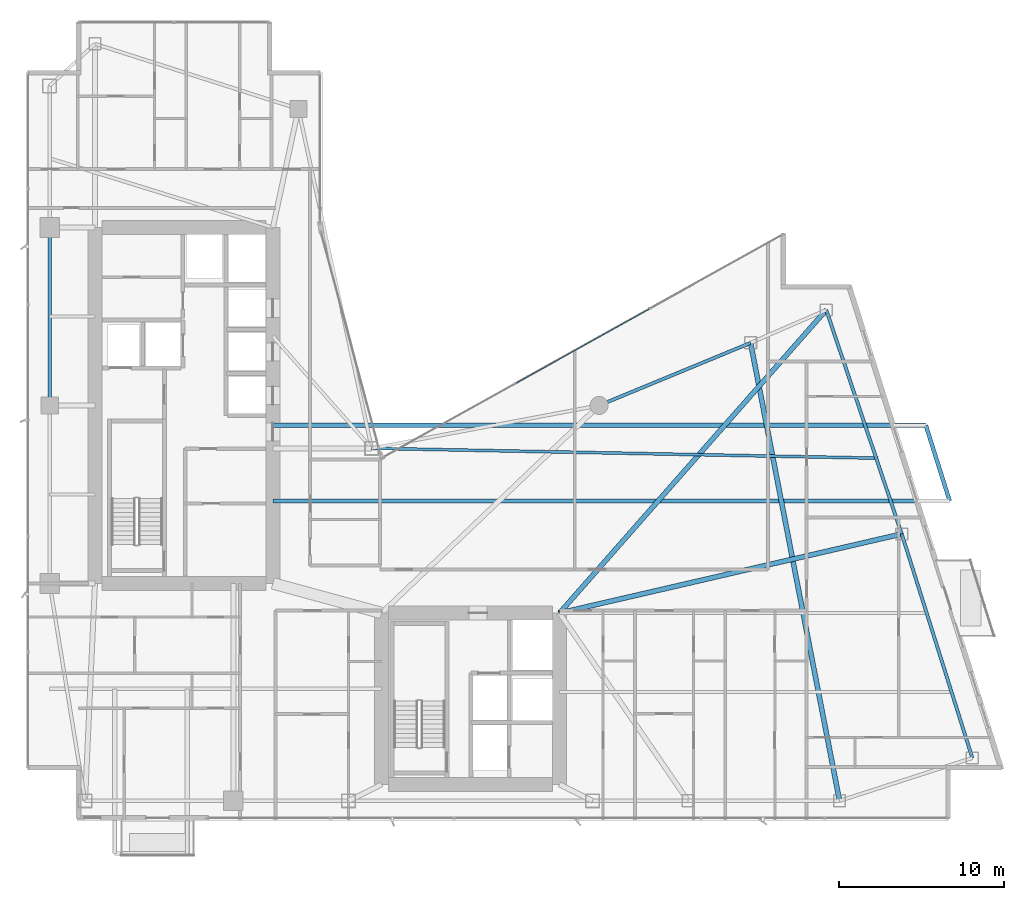
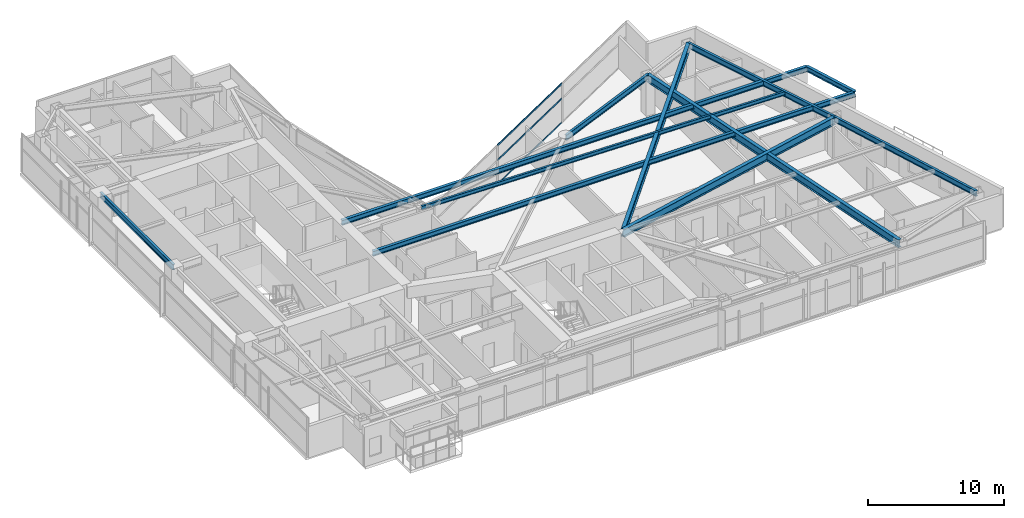
# One storey, part 15 of 28: 11 beams, 3 members, 1 element without a shape of its own.
"""IFC4 building model written with IfcOpenShell, lengths in metres."""

from ifc_helpers import new_model, si_unit, direction, frame, origin, origin_2d, place, context, subcontext, project, spatial, hollow_rectangle, i_section, extrude, material, layer, layer_set, material_profile, profile_set, type_object, element, aggregate, save


model = new_model("IFC4")

# Units and contexts
model_context = context("Model", 3, precision=1e-05, world=origin(), true_north=direction((0.0, 1.0)))
body_context = subcontext(model_context, "Body", "Model", "MODEL_VIEW")
ifc_project = project(units=[si_unit("LENGTHUNIT", "METRE"), si_unit("AREAUNIT", "SQUARE_METRE"), si_unit("VOLUMEUNIT", "CUBIC_METRE"), si_unit("PLANEANGLEUNIT", "RADIAN"), si_unit("MASSUNIT", "GRAM", prefix="KILO")], contexts=[model_context])

# Site, building, storey
site_placement = place(None, origin())
site = spatial("IfcSite", under=ifc_project, at=site_placement, CompositionType="ELEMENT")
building_placement = place(site_placement, origin())
building = spatial("IfcBuilding", under=site, at=building_placement, Name="Calvorn Quay Hotel", CompositionType="ELEMENT")
storey_placement = place(building_placement, frame((0.0, 0.0, 108.800048828125)))
storey = spatial("IfcBuildingStorey", under=building, at=storey_placement, Name="L26", CompositionType="ELEMENT", Elevation=108.800048828125)

# Beams
ifc_material_1 = material(Name="Steel Q355B", Category="steel")
ifc_material_profile_1 = material_profile(ifc_material_1, i_section(OverallWidth=0.25, OverallDepth=0.449951171875, WebThickness=0.011962890625, FlangeThickness=0.01611328125, FilletRadius=0.01611328125, at=origin_2d()), Name="HN450x250x12x16")
ifc_profile_set_1 = profile_set([ifc_material_profile_1], Name="Steel Q355B")
beam_type_1 = type_object("IfcBeamType", Name="BM-CANT-BALC", PredefinedType="BEAM", material=ifc_profile_set_1)
beam_1_placement = place(storey_placement, frame((15.0, 21.800048828125, 3.31494140625), z_axis=(1.0, 0.0, 0.0), x_axis=(0.0, 1.0, 0.0)))
element("IfcBeam", 1, at=beam_1_placement, inside=storey, type_object=beam_type_1, Name="Cantilever Balcony Beam BCB-L27-1A", PredefinedType="BEAM", context=body_context, shape_type="SweptSolid", body=[
    extrude(i_section(OverallWidth=0.25, OverallDepth=0.449951171875, WebThickness=0.011962890625, FlangeThickness=0.01611328125, FilletRadius=0.01611328125, at=origin_2d()), origin(), (0.0, 0.0, 1.0), 41.0859375),
])
beam_2_placement = place(storey_placement, frame((15.0, 26.39990234375, 3.31494140625), z_axis=(1.0, 0.0, 0.0), x_axis=(0.0, 1.0, 0.0)))
element("IfcBeam", 2, at=beam_2_placement, inside=storey, type_object=beam_type_1, Name="Cantilever Balcony Beam BCB-L27-1B", PredefinedType="BEAM", context=body_context, shape_type="SweptSolid", body=[
    extrude(i_section(OverallWidth=0.25, OverallDepth=0.449951171875, WebThickness=0.011962890625, FlangeThickness=0.01611328125, FilletRadius=0.01611328125, at=origin_2d()), origin(), (0.0, 0.0, 1.0), 39.636962890625),
])
beam_3_placement = place(storey_placement, frame((56.0859375, 21.800048828125, 3.31494140625), z_axis=(-0.300450487966, 0.953797412599, 0.0), x_axis=(-0.953797412599, -0.300450487966, 0.0)))
element("IfcBeam", 3, at=beam_3_placement, inside=storey, type_object=beam_type_1, Name="Beam BCBO-L27-1", PredefinedType="BEAM", context=body_context, shape_type="SweptSolid", body=[
    extrude(i_section(OverallWidth=0.25, OverallDepth=0.449951171875, WebThickness=0.011962890625, FlangeThickness=0.01611328125, FilletRadius=0.01611328125, at=origin_2d()), origin(), (0.0, 0.0, 1.0), 4.82275390625),
])
ifc_material_2 = material(Name="Steel Q390GJC", Category="steel")
ifc_material_profile_2 = material_profile(ifc_material_2, i_section(OverallWidth=0.300048828125, OverallDepth=0.699951171875, WebThickness=0.012939453125, FlangeThickness=0.02392578125, FilletRadius=0.02392578125, at=origin_2d()), Name="HN700x300x13x24")
ifc_profile_set_2 = profile_set([ifc_material_profile_2], Name="Steel Q390GJC")
beam_type_2 = type_object("IfcBeamType", Name="BM-GIRD-MAIN", PredefinedType="BEAM", material=ifc_profile_set_2)
beam_4_placement = place(storey_placement, frame((32.39990234375, 15.0, 3.18994140625), z_axis=(0.974334045812, 0.225107012711, 0.0), x_axis=(-0.225107012711, 0.974334045812, 0.0)))
element("IfcBeam", 4, at=beam_4_placement, inside=storey, type_object=beam_type_2, Name="Beam BG-L26-E2", PredefinedType="BEAM", context=body_context, shape_type="SweptSolid", body=[
    extrude(i_section(OverallWidth=0.300048828125, OverallDepth=0.699951171875, WebThickness=0.012939453125, FlangeThickness=0.02392578125, FilletRadius=0.02392578125, at=origin_2d()), origin(), (0.0, 0.0, 1.0), 21.323486328125),
])
beam_5_placement = place(storey_placement, frame((32.39990234375, 15.0, 3.18994140625), z_axis=(0.660610604248, 0.750728732336, 0.0), x_axis=(-0.750728732336, 0.660610604248, 0.0)))
element("IfcBeam", 5, at=beam_5_placement, inside=storey, type_object=beam_type_2, Name="Beam BG-L26-E3", PredefinedType="BEAM", context=body_context, shape_type="SweptSolid", body=[
    extrude(i_section(OverallWidth=0.300048828125, OverallDepth=0.699951171875, WebThickness=0.012939453125, FlangeThickness=0.02392578125, FilletRadius=0.02392578125, at=origin_2d()), origin(), (0.0, 0.0, 1.0), 24.50927734375),
])
beam_6_placement = place(storey_placement, frame((49.39990234375, 3.60009765625, 3.18994140625), z_axis=(-0.190678596862, 0.981652521363, 0.0), x_axis=(-0.981652521363, -0.190678596862, 0.0)))
element("IfcBeam", 6, at=beam_6_placement, inside=storey, type_object=beam_type_2, Name="Beam BG-L26-E5", PredefinedType="BEAM", context=body_context, shape_type="SweptSolid", body=[
    extrude(i_section(OverallWidth=0.300048828125, OverallDepth=0.699951171875, WebThickness=0.012939453125, FlangeThickness=0.02392578125, FilletRadius=0.02392578125, at=origin_2d()), origin(), (0.0, 0.0, 1.0), 28.3193359375),
])
ifc_material_3 = material(Name="Steel Q355B", Category="steel")
ifc_material_profile_3 = material_profile(ifc_material_3, i_section(OverallWidth=0.175048828125, OverallDepth=0.35009765625, WebThickness=0.007080078125, FlangeThickness=0.010986328125, FilletRadius=0.013916015625, at=origin_2d()), Name="HN350x175x7x11")
ifc_profile_set_3 = profile_set([ifc_material_profile_3], Name="Steel Q355B")
beam_type_3 = type_object("IfcBeamType", Name="BM-JOIST-SEC", PredefinedType="JOIST", material=ifc_profile_set_3)
beam_7_placement = place(storey_placement, frame((21.0, 25.0, 3.364990234375), z_axis=(0.999809345134, -0.019526222968, 0.0), x_axis=(0.019526222968, 0.999809345134, 0.0)))
element("IfcBeam", 7, at=beam_7_placement, inside=storey, type_object=beam_type_3, Name="Beam BJ-L26-E3", PredefinedType="JOIST", context=body_context, shape_type="SweptSolid", body=[
    extrude(i_section(OverallWidth=0.175048828125, OverallDepth=0.35009765625, WebThickness=0.007080078125, FlangeThickness=0.010986328125, FilletRadius=0.013916015625, at=origin_2d()), origin(), (0.0, 0.0, 1.0), 30.73291015625),
])
ifc_material_4 = material(Name="Steel Q355B", Category="steel")
ifc_material_profile_4 = material_profile(ifc_material_4, i_section(OverallWidth=0.199951171875, OverallDepth=0.5, WebThickness=0.010009765625, FlangeThickness=0.01611328125, FilletRadius=0.01611328125, at=origin_2d()), Name="HN500x200x10x16")
ifc_profile_set_4 = profile_set([ifc_material_profile_4], Name="Steel Q355B")
beam_type_4 = type_object("IfcBeamType", Name="BM-SPANDREL-Z1", PredefinedType="SPANDREL", material=ifc_profile_set_4)
beam_8_placement = place(storey_placement, frame((1.449951171875, 27.60009765625, 3.2900390625), z_axis=(0.0, 1.0, 0.0), x_axis=(-1.0, 0.0, 0.0)))
element("IfcBeam", 8, at=beam_8_placement, inside=storey, type_object=beam_type_4, Name="Beam BSP-L26-W3", PredefinedType="SPANDREL", context=body_context, shape_type="SweptSolid", body=[
    extrude(i_section(OverallWidth=0.199951171875, OverallDepth=0.5, WebThickness=0.010009765625, FlangeThickness=0.01611328125, FilletRadius=0.01611328125, at=origin_2d()), origin(), (0.0, 0.0, 1.0), 10.7998046875),
])
beam_9_placement = place(storey_placement, frame((57.4609375, 6.199951171875, 3.2900390625), z_axis=(-0.300502802767, 0.953780931624, 0.0), x_axis=(-0.953780931624, -0.300502802767, 0.0)))
element("IfcBeam", 9, at=beam_9_placement, inside=storey, type_object=beam_type_4, Name="Beam BSP-L26-E1", PredefinedType="SPANDREL", context=body_context, shape_type="SweptSolid", body=[
    extrude(i_section(OverallWidth=0.199951171875, OverallDepth=0.5, WebThickness=0.010009765625, FlangeThickness=0.01611328125, FilletRadius=0.01611328125, at=origin_2d()), origin(), (0.0, 0.0, 1.0), 14.259033203125),
])
beam_10_placement = place(storey_placement, frame((53.176025390625, 19.800048828125, 3.2900390625), z_axis=(-0.319466515944, 0.947597564998, 0.0), x_axis=(-0.947597564998, -0.319466515944, 0.0)))
element("IfcBeam", 10, at=beam_10_placement, inside=storey, type_object=beam_type_4, Name="Beam BSP-L26-E2", PredefinedType="SPANDREL", context=body_context, shape_type="SweptSolid", body=[
    extrude(i_section(OverallWidth=0.199951171875, OverallDepth=0.5, WebThickness=0.010009765625, FlangeThickness=0.01611328125, FilletRadius=0.01611328125, at=origin_2d()), origin(), (0.0, 0.0, 1.0), 14.35205078125),
])
beam_11_placement = place(storey_placement, frame((44.0, 31.39990234375, 3.2900390625), z_axis=(-0.92426763497, -0.381745123017, 0.0), x_axis=(0.381745123017, -0.92426763497, 0.0)))
element("IfcBeam", 11, at=beam_11_placement, inside=storey, type_object=beam_type_4, Name="Beam BSP-L26-E4", PredefinedType="SPANDREL", context=body_context, shape_type="SweptSolid", body=[
    extrude(i_section(OverallWidth=0.199951171875, OverallDepth=0.5, WebThickness=0.010009765625, FlangeThickness=0.01611328125, FilletRadius=0.01611328125, at=origin_2d()), origin(), (0.0, 0.0, 1.0), 9.953857421875),
])

# Curtain wall, members
ifc_material_5 = material(Name="Pale Anodised Aluminium and Low-E Glass", Category="aluminium")
ifc_layer = layer(ifc_material_5, 0.219970703125)
ifc_layer_set = layer_set([ifc_layer], Name="CW-SYS-Z2")
curtain_wall_type = type_object("IfcCurtainWallType", Name="CW-SYS-Z2", PredefinedType="NOTDEFINED", material=ifc_layer_set)
curtain_wall_placement = place(storey_placement, origin())
curtain_wall = element("IfcCurtainWall", 12, at=curtain_wall_placement, inside=storey, type_object=curtain_wall_type, Name="Inner Court Curtain Wall L26-NE1", PredefinedType="NOTDEFINED")
ifc_material_6 = material(Name="Pale Anodised Aluminium 6063-T6", Category="aluminium")
ifc_material_profile_5 = material_profile(ifc_material_6, hollow_rectangle(XDim=0.06005859375, YDim=0.14990234375, WallThickness=0.00341796875, at=origin_2d()), Name="ALU-T150x60x3.5")
ifc_profile_set_5 = profile_set([ifc_material_profile_5], Name="Pale Anodised Aluminium 6063-T6")
member_type = type_object("IfcMemberType", Name="CW-SYS-Z2-TRN", PredefinedType="USERDEFINED", material=ifc_profile_set_5)
member_1_placement = place(storey_placement, frame((37.840576171875, 33.4521484375, 0.030029296875), z_axis=(-0.873483012802, -0.486854625474, 0.0), x_axis=(0.486854625474, -0.873483012802, 0.0)))
member_1 = element("IfcMember", 13, at=member_1_placement, type_object=member_type, Name="CW-L26-NE1 transom 2.1", ObjectType="TRANSOM", PredefinedType="USERDEFINED", context=body_context, shape_type="SweptSolid", body=[
    extrude(hollow_rectangle(XDim=0.06005859375, YDim=0.14990234375, WallThickness=0.00341796875, at=origin_2d()), origin(), (0.0, 0.0, 1.0), 9.25146484375),
])
member_2_placement = place(storey_placement, frame((37.840576171875, 33.4521484375, 2.199951171875), z_axis=(-0.873483012802, -0.486854625474, 0.0), x_axis=(0.486854625474, -0.873483012802, 0.0)))
member_2 = element("IfcMember", 14, at=member_2_placement, type_object=member_type, Name="CW-L26-NE1 transom 2.2", ObjectType="TRANSOM", PredefinedType="USERDEFINED", context=body_context, shape_type="SweptSolid", body=[
    extrude(hollow_rectangle(XDim=0.06005859375, YDim=0.14990234375, WallThickness=0.00341796875, at=origin_2d()), origin(), (0.0, 0.0, 1.0), 9.25146484375),
])
member_3_placement = place(storey_placement, frame((37.840576171875, 33.4521484375, 3.530029296875), z_axis=(-0.873483012802, -0.486854625474, 0.0), x_axis=(0.486854625474, -0.873483012802, 0.0)))
member_3 = element("IfcMember", 15, at=member_3_placement, type_object=member_type, Name="CW-L26-NE1 transom 2.3", ObjectType="TRANSOM", PredefinedType="USERDEFINED", context=body_context, shape_type="SweptSolid", body=[
    extrude(hollow_rectangle(XDim=0.06005859375, YDim=0.14990234375, WallThickness=0.00341796875, at=origin_2d()), origin(), (0.0, 0.0, 1.0), 9.25146484375),
])
aggregate(curtain_wall, [member_1, member_2, member_3])

save(model, "model.ifc")
